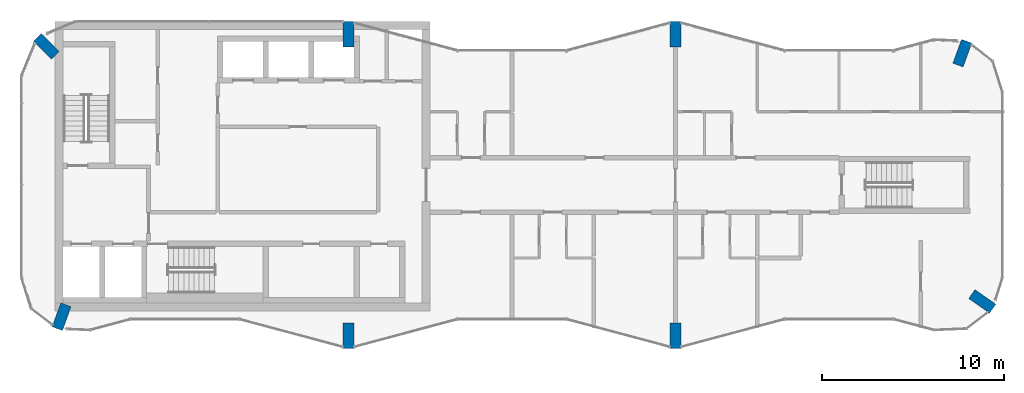
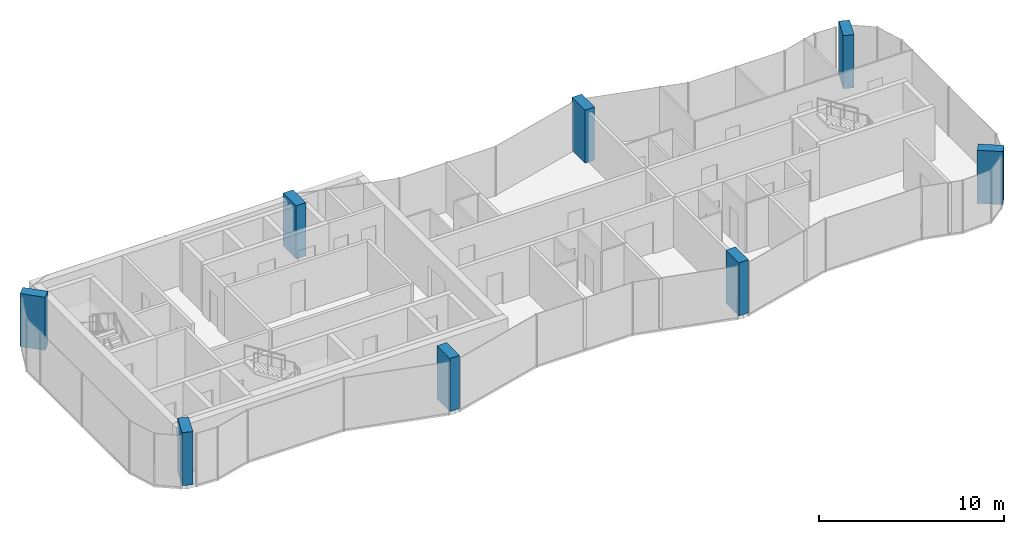
# One storey, part 1 of 10: 8 columns.
"""IFC4 building model written with IfcOpenShell, lengths in metres."""

from ifc_helpers import new_model, si_unit, direction, frame, origin, origin_2d, place, context, subcontext, project, spatial, rectangle, extrude, material, material_profile, profile_set, type_object, element, save


model = new_model("IFC4")

# Units and contexts
model_context = context("Model", 3, precision=1e-05, world=origin(), true_north=direction((0.0, 1.0)))
body_context = subcontext(model_context, "Body", "Model", "MODEL_VIEW")
ifc_project = project(units=[si_unit("LENGTHUNIT", "METRE"), si_unit("AREAUNIT", "SQUARE_METRE"), si_unit("VOLUMEUNIT", "CUBIC_METRE"), si_unit("PLANEANGLEUNIT", "RADIAN"), si_unit("MASSUNIT", "GRAM", prefix="KILO")], contexts=[model_context])

# Site, building, storey
site_placement = place(None, origin())
site = spatial("IfcSite", under=ifc_project, at=site_placement, CompositionType="ELEMENT")
building_placement = place(site_placement, origin())
building = spatial("IfcBuilding", under=site, at=building_placement, Name="Plateau Cross Towers", CompositionType="ELEMENT")
storey_placement = place(building_placement, frame((0.0, 0.0, 270.39990234375)))
storey = spatial("IfcBuildingStorey", under=building, at=storey_placement, Name="L71", CompositionType="ELEMENT", Elevation=270.39990234375)

# Columns
ifc_material = material(Name="Concrete C60/75", Category="concrete")
ifc_material_profile = material_profile(ifc_material, rectangle(XDim=0.60009765625, YDim=1.39990234375, at=origin_2d()), Name="RC 600x1400")
ifc_profile_set = profile_set([ifc_material_profile], Name="Concrete C60/75")
column_type = type_object("IfcColumnType", Name="Fin pier column RC 600x1400", PredefinedType="COLUMN", material=ifc_profile_set)
for number, where, z_axis, x_axis, name in (
    (1, (18.0, 0.699951171875, 0.0), (0.0, 0.0, 1.0), (1.0, 0.0, 0.0), "PR1 L71"),
    (2, (36.0, 0.699951171875, 0.0), (0.0, 0.0, 1.0), (1.0, 0.0, 0.0), "PR2 L71"),
    (3, (52.884033203125, 2.590087890625, 0.0), (0.0, 0.0, 1.0), (0.573542637991, 0.819175709117, 0.0), "PR3 L71"),
    (4, (51.786865234375, 16.251953125, 0.0), (0.0, 0.0, 1.0), (-0.939664280925, 0.342097996418, 0.0), "PR4 L71"),
    (5, (36.0, 17.300048828125, 0.0), (0.0, 0.0, 1.0), (1.0, 0.0, 0.0), "PR5 L71"),
    (6, (18.0, 17.300048828125, 0.0), (0.0, 0.0, 1.0), (1.0, 0.0, 0.0), "PR13 L71"),
    (7, (1.37353515625, 16.62646484375, 0.0), (0.0, 0.0, 1.0), (0.707106781187, 0.707106781187, 0.0), "PR14 L71"),
    (8, (2.213134765625, 1.748046875, 0.0), (0.0, 0.0, 1.0), (-0.939664280925, 0.342097996418, 0.0), "PR12 L71"),
):
    element("IfcColumn", number, at=place(storey_placement, frame(where, z_axis=z_axis, x_axis=x_axis)), inside=storey, type_object=column_type, Name=name, PredefinedType="COLUMN", context=body_context, shape_type="SweptSolid", body=[
        extrude(rectangle(XDim=0.60009765625, YDim=1.39990234375, at=origin_2d()), origin(), (0.0, 0.0, 1.0), 3.5),
    ])

save(model, "model.ifc")
